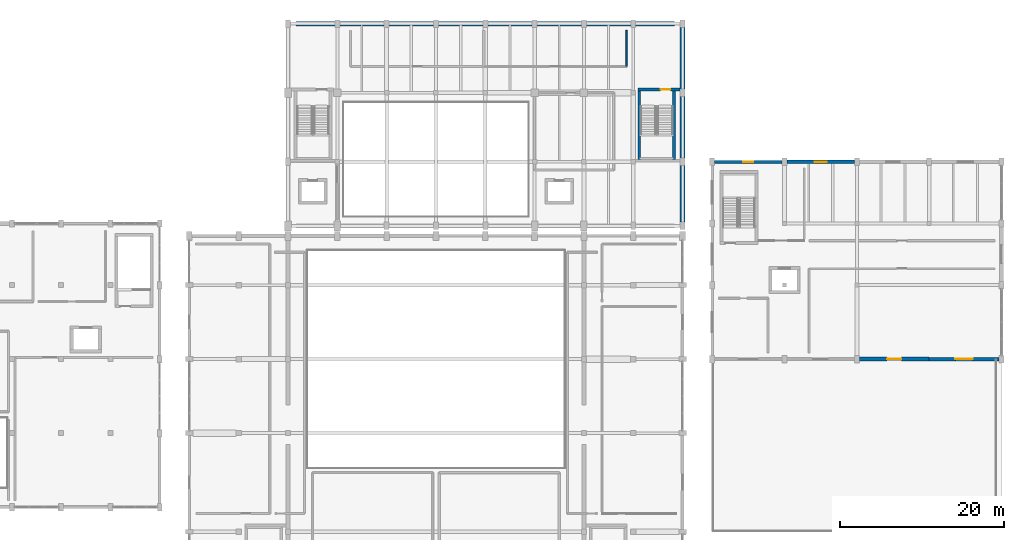
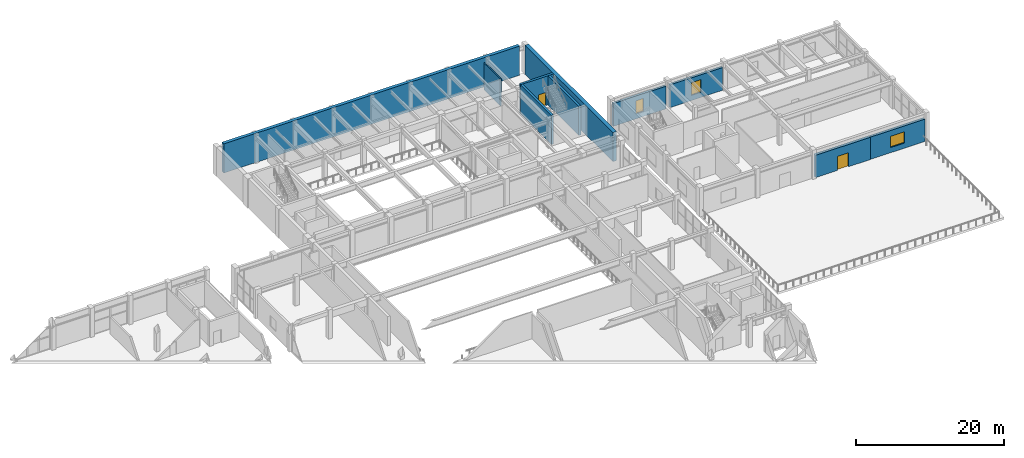
# One storey, part 45 of 62: 10 walls, 3 windows, 2 doors, 5 openings.
"""IFC4 building model written with IfcOpenShell, lengths in metres."""

from ifc_helpers import new_model, si_unit, direction, frame, frame_2d, origin, place, context, subcontext, project, spatial, rectangle, extrude, material, layer, layer_set, type_object, element, fill, save


model = new_model("IFC4")

# Units and contexts
model_context = context("Model", 3, precision=1e-05, world=origin(), true_north=direction((0.0, 1.0)))
body_context = subcontext(model_context, "Body", "Model", "MODEL_VIEW")
ifc_project = project(units=[si_unit("LENGTHUNIT", "METRE"), si_unit("AREAUNIT", "SQUARE_METRE"), si_unit("VOLUMEUNIT", "CUBIC_METRE"), si_unit("PLANEANGLEUNIT", "RADIAN"), si_unit("MASSUNIT", "GRAM", prefix="KILO")], contexts=[model_context])

# Site, building, storey
site_placement = place(None, origin())
site = spatial("IfcSite", under=ifc_project, at=site_placement, CompositionType="ELEMENT")
building_placement = place(site_placement, origin())
building = spatial("IfcBuilding", under=site, at=building_placement, Name="Vaelkrest Opera House", CompositionType="ELEMENT")
storey_placement = place(building_placement, frame((0.0, 0.0, 19.800048828125)))
storey = spatial("IfcBuildingStorey", under=building, at=storey_placement, Name="L04", CompositionType="ELEMENT", Elevation=19.800048828125)

# Wall, opening, window
ifc_material_1 = material(Name="American black walnut acoustic timber", Category="wood")
ifc_layer_1 = layer(ifc_material_1, 0.360107421875)
ifc_layer_set_1 = layer_set([ifc_layer_1], Name="American black walnut acoustic timber")
wall_type_1 = type_object("IfcWallType", Name="EW06", PredefinedType="STANDARD", material=ifc_layer_set_1)
wall_1_placement = place(storey_placement, frame((33.89794921875, 25.199951171875, 0.0), z_axis=(0.0, 0.0, 1.0), x_axis=(1.0, 0.0, 0.0)))
wall_1 = element("IfcWall", 1, at=wall_1_placement, inside=storey, type_object=wall_type_1, Name="Exterior facade wall EW-V4-L04-0286", PredefinedType="STANDARD", context=body_context, shape_type="SweptSolid", body=[
    extrude(rectangle(XDim=8.2041015625, YDim=0.360107421875, at=frame_2d((4.10205078125, 0.0))), origin(), (0.0, 0.0, 1.0), 3.744873046875),
])
opening_1_placement = place(wall_1_placement, frame((3.501953125, 0.0, 0.85009765625)))
opening_1 = element("IfcOpeningElement", 2, at=opening_1_placement, cuts=wall_1, Name="Opening WN169", PredefinedType="OPENING", context=body_context, shape_type="SweptSolid", body=[
    extrude(rectangle(XDim=1.199951171875, YDim=2.10009765625, at=frame_2d((0.60009765625, 1.050048828125))), frame((0.0, 0.18994140625, 0.0), z_axis=(0.0, -1.0, 0.0), x_axis=(1.0, 0.0, 0.0)), (0.0, 0.0, 1.0), 0.380126953125),
])
ifc_material_2 = material(Name="Double low-E insulated glazing", Category="glass")
window_type_1 = type_object("IfcWindowType", Name="WT13", PartitioningType="SINGLE_PANEL", PredefinedType="WINDOW", material=ifc_material_2)
window_1_placement = place(opening_1_placement, origin())
window_1 = element("IfcWindow", 3, at=window_1_placement, inside=storey, type_object=window_type_1, Name="Facade window WN169", OverallHeight=2.10009765625, OverallWidth=1.199951171875, PartitioningType="SINGLE_PANEL", PredefinedType="WINDOW", context=body_context, shape_type="SweptSolid", body=[
    extrude(rectangle(XDim=1.199951171875, YDim=2.10009765625, at=frame_2d((0.60009765625, 1.050048828125))), frame((0.0, 0.030029296875, 0.0), z_axis=(0.0, -1.0, 0.0), x_axis=(1.0, 0.0, 0.0)), (0.0, 0.0, 1.0), 0.06005859375),
])
fill(opening_1, window_1)

ifc_material_3 = material(Name="Concrete C40/50", Category="concrete")
ifc_layer_2 = layer(ifc_material_3, 0.385009765625)
ifc_layer_set_2 = layer_set([ifc_layer_2], Name="Concrete C40/50")
wall_type_2 = type_object("IfcWallType", Name="EW07", PredefinedType="STANDARD", material=ifc_layer_set_2)
wall_2_placement = place(storey_placement, frame((42.697998046875, 25.199951171875, 0.0), z_axis=(0.0, 0.0, 1.0), x_axis=(1.0, 0.0, 0.0)))
wall_2 = element("IfcWall", 4, at=wall_2_placement, inside=storey, type_object=wall_type_2, Name="Exterior facade wall EW-V4-L04-0287", PredefinedType="STANDARD", context=body_context, shape_type="SweptSolid", body=[
    extrude(rectangle(XDim=8.2041015625, YDim=0.385009765625, at=frame_2d((4.10205078125, 0.0))), origin(), (0.0, 0.0, 1.0), 3.744873046875),
])
opening_2_placement = place(wall_2_placement, frame((3.376953125, 0.0, 0.85009765625)))
opening_2 = element("IfcOpeningElement", 5, at=opening_2_placement, cuts=wall_2, Name="Opening WN170", PredefinedType="OPENING", context=body_context, shape_type="SweptSolid", body=[
    extrude(rectangle(XDim=1.449951171875, YDim=2.10009765625, at=frame_2d((0.72509765625, 1.050048828125))), frame((0.0, 0.202392578125, 0.0), z_axis=(0.0, -1.0, 0.0), x_axis=(1.0, 0.0, 0.0)), (0.0, 0.0, 1.0), 0.405029296875),
])
window_type_2 = type_object("IfcWindowType", Name="WT14", PartitioningType="SINGLE_PANEL", PredefinedType="WINDOW", material=ifc_material_2)
window_2_placement = place(opening_2_placement, origin())
window_2 = element("IfcWindow", 6, at=window_2_placement, inside=storey, type_object=window_type_2, Name="Facade window WN170", OverallHeight=2.10009765625, OverallWidth=1.449951171875, PartitioningType="SINGLE_PANEL", PredefinedType="WINDOW", context=body_context, shape_type="SweptSolid", body=[
    extrude(rectangle(XDim=1.449951171875, YDim=2.10009765625, at=frame_2d((0.72509765625, 1.050048828125))), frame((0.0, 0.030029296875, 0.0), z_axis=(0.0, -1.0, 0.0), x_axis=(1.0, 0.0, 0.0)), (0.0, 0.0, 1.0), 0.06005859375),
])
fill(opening_2, window_2)

ifc_layer_3 = layer(ifc_material_3, 0.43505859375)
ifc_layer_set_3 = layer_set([ifc_layer_3], Name="Concrete C40/50")
wall_type_3 = type_object("IfcWallType", Name="EW09", PredefinedType="STANDARD", material=ifc_layer_set_3)
wall_3_placement = place(storey_placement, frame((68.501953125, 1.199951171875, 0.0), z_axis=(0.0, 0.0, 1.0), x_axis=(-1.0, 0.0, 0.0)))
wall_3 = element("IfcWall", 7, at=wall_3_placement, inside=storey, type_object=wall_type_3, Name="Exterior facade wall EW-V4-L04-0279", PredefinedType="STANDARD", context=body_context, shape_type="SweptSolid", body=[
    extrude(rectangle(XDim=8.501953125, YDim=0.43505859375, at=frame_2d((4.2509765625, 0.0))), origin(), (0.0, 0.0, 1.0), 3.6669921875),
])
opening_3_placement = place(wall_3_placement, frame((3.176025390625, 0.0, 0.85009765625)))
opening_3 = element("IfcOpeningElement", 8, at=opening_3_placement, cuts=wall_3, Name="Opening WN164", PredefinedType="OPENING", context=body_context, shape_type="SweptSolid", body=[
    extrude(rectangle(XDim=2.14990234375, YDim=1.85009765625, at=frame_2d((1.074951171875, 0.925048828125))), frame((0.0, 0.2275390625, 0.0), z_axis=(0.0, -1.0, 0.0), x_axis=(1.0, 0.0, 0.0)), (0.0, 0.0, 1.0), 0.455078125),
])
window_type_3 = type_object("IfcWindowType", Name="WT08", PartitioningType="SINGLE_PANEL", PredefinedType="WINDOW", material=ifc_material_2)
window_3_placement = place(opening_3_placement, origin())
window_3 = element("IfcWindow", 9, at=window_3_placement, inside=storey, type_object=window_type_3, Name="Facade window WN164", OverallHeight=1.85009765625, OverallWidth=2.14990234375, PartitioningType="SINGLE_PANEL", PredefinedType="WINDOW", context=body_context, shape_type="SweptSolid", body=[
    extrude(rectangle(XDim=2.14990234375, YDim=1.85009765625, at=frame_2d((1.074951171875, 0.925048828125))), frame((0.0, 0.030029296875, 0.0), z_axis=(0.0, -1.0, 0.0), x_axis=(1.0, 0.0, 0.0)), (0.0, 0.0, 1.0), 0.06005859375),
])
fill(opening_3, window_3)

# Wall, opening, door
ifc_layer_4 = layer(ifc_material_3, 0.465087890625)
ifc_layer_set_4 = layer_set([ifc_layer_4], Name="Concrete C40/50")
wall_type_4 = type_object("IfcWallType", Name="EW10", PredefinedType="STANDARD", material=ifc_layer_set_4)
wall_4_placement = place(storey_placement, frame((60.0, 1.199951171875, 0.0), z_axis=(0.0, 0.0, 1.0), x_axis=(-1.0, 0.0, 0.0)))
wall_4 = element("IfcWall", 10, at=wall_4_placement, inside=storey, type_object=wall_type_4, Name="Exterior facade wall EW-V4-L04-0280", PredefinedType="STANDARD", context=body_context, shape_type="SweptSolid", body=[
    extrude(rectangle(XDim=8.501953125, YDim=0.465087890625, at=frame_2d((4.2509765625, 0.0))), origin(), (0.0, 0.0, 1.0), 3.6669921875),
])
opening_4_placement = place(wall_4_placement, frame((3.3759765625, 0.0, 0.0)))
opening_4 = element("IfcOpeningElement", 11, at=opening_4_placement, cuts=wall_4, Name="Opening TD-V4-L04-1", PredefinedType="OPENING", context=body_context, shape_type="SweptSolid", body=[
    extrude(rectangle(XDim=1.75, YDim=2.300048828125, at=frame_2d((0.875, 1.14990234375))), frame((0.0, 0.242431640625, 0.0), z_axis=(0.0, -1.0, 0.0), x_axis=(1.0, 0.0, 0.0)), (0.0, 0.0, 1.0), 0.485107421875),
])
ifc_material_4 = material(Name="Dark bronze anodized aluminium", Category="aluminium")
door_type_1 = type_object("IfcDoorType", Name="EDT04", OperationType="DOUBLE_DOOR_SINGLE_SWING", PredefinedType="DOOR", material=ifc_material_4)
door_1_placement = place(opening_4_placement, origin())
door_1 = element("IfcDoor", 12, at=door_1_placement, inside=storey, type_object=door_type_1, Name="Exterior exit door TD-V4-L04-1", OperationType="DOUBLE_DOOR_SINGLE_SWING", OverallHeight=2.300048828125, OverallWidth=1.75, PredefinedType="DOOR", context=body_context, shape_type="SweptSolid", body=[
    extrude(rectangle(XDim=1.75, YDim=2.300048828125, at=frame_2d((0.875, 1.14990234375))), frame((0.0, 0.02490234375, 0.0), z_axis=(0.0, -1.0, 0.0), x_axis=(1.0, 0.0, 0.0)), (0.0, 0.0, 1.0), 0.050048828125),
])
fill(opening_4, door_1)

# Walls
ifc_layer_5 = layer(ifc_material_1, 0.175048828125)
ifc_layer_set_5 = layer_set([ifc_layer_5], Name="American black walnut acoustic timber")
wall_type_5 = type_object("IfcWallType", Name="PT14", PredefinedType="PARTITIONING", material=ifc_layer_set_5)
wall_5_placement = place(storey_placement, frame((23.199951171875, 36.800048828125, 0.0), z_axis=(0.0, 0.0, 1.0), x_axis=(0.0, 1.0, 0.0)))
element("IfcWall", 13, at=wall_5_placement, inside=storey, type_object=wall_type_5, Name="Interior partition PT-V2-L04-0224", PredefinedType="PARTITIONING", context=body_context, shape_type="SweptSolid", body=[
    extrude(rectangle(XDim=4.39990234375, YDim=0.175048828125, at=frame_2d((2.199951171875, 0.0))), origin(), (0.0, 0.0, 1.0), 4.419921875),
])
ifc_material_5 = material(Name="Concrete C50/60", Category="concrete")
ifc_layer_6 = layer(ifc_material_5, 0.35009765625)
ifc_layer_set_6 = layer_set([ifc_layer_6], Name="Concrete C50/60")
wall_type_6 = type_object("IfcWallType", Name="SW01", PredefinedType="SHEAR", material=ifc_layer_set_6)
wall_6_placement = place(storey_placement, frame((24.72509765625, 25.5, 0.0), z_axis=(0.0, 0.0, 1.0), x_axis=(0.0, 1.0, 0.0)))
element("IfcWall", 14, at=wall_6_placement, inside=storey, type_object=wall_type_6, Name="Stair core ST06 wall L04 W", PredefinedType="SHEAR", context=body_context, shape_type="SweptSolid", body=[
    extrude(rectangle(XDim=8.300048828125, YDim=0.35009765625, at=frame_2d((4.14990234375, 0.0))), origin(), (0.0, 0.0, 1.0), 4.800048828125),
])

# Wall, opening, door
wall_7_placement = place(storey_placement, frame((24.550048828125, 33.97509765625, 0.0), z_axis=(0.0, 0.0, 1.0), x_axis=(1.0, 0.0, 0.0)))
wall_7 = element("IfcWall", 15, at=wall_7_placement, inside=storey, type_object=wall_type_6, Name="Stair core ST06 wall L04 N", PredefinedType="SHEAR", context=body_context, shape_type="SweptSolid", body=[
    extrude(rectangle(XDim=5.14990234375, YDim=0.35009765625, at=frame_2d((2.574951171875, 0.0))), origin(), (0.0, 0.0, 1.0), 4.800048828125),
])
opening_5_placement = place(wall_7_placement, frame((2.77001953125, 0.0, 0.0)))
opening_5 = element("IfcOpeningElement", 16, at=opening_5_placement, cuts=wall_7, Name="Opening SD-ST06-L04", PredefinedType="OPENING", context=body_context, shape_type="SweptSolid", body=[
    extrude(rectangle(XDim=1.179931640625, YDim=2.14990234375, at=frame_2d((0.58984375, 1.074951171875))), frame((0.0, 0.18505859375, 0.0), z_axis=(0.0, -1.0, 0.0), x_axis=(1.0, 0.0, 0.0)), (0.0, 0.0, 1.0), 0.3701171875),
])
door_type_2 = type_object("IfcDoorType", Name="DT07", OperationType="NOTDEFINED", PredefinedType="DOOR", material=ifc_material_1)
door_2_placement = place(opening_5_placement, origin())
door_2 = element("IfcDoor", 17, at=door_2_placement, inside=storey, type_object=door_type_2, Name="Protected stair door SD-ST06-L04", OperationType="SINGLE_SWING_RIGHT", OverallHeight=2.14990234375, OverallWidth=1.179931640625, PredefinedType="DOOR", context=body_context, shape_type="SweptSolid", body=[
    extrude(rectangle(XDim=1.179931640625, YDim=2.14990234375, at=frame_2d((0.58984375, 1.074951171875))), frame((0.0, 0.02490234375, 0.0), z_axis=(0.0, -1.0, 0.0), x_axis=(1.0, 0.0, 0.0)), (0.0, 0.0, 1.0), 0.050048828125),
])
fill(opening_5, door_2)

# Walls
wall_8_placement = place(storey_placement, frame((28.97509765625, 33.800048828125, 0.0), z_axis=(0.0, 0.0, 1.0), x_axis=(0.0, -1.0, 0.0)))
element("IfcWall", 18, at=wall_8_placement, inside=storey, type_object=wall_type_6, Name="Stair core ST06 wall L04 E", PredefinedType="SHEAR", context=body_context, shape_type="SweptSolid", body=[
    extrude(rectangle(XDim=8.300048828125, YDim=0.35009765625, at=frame_2d((4.14990234375, 0.0))), origin(), (0.0, 0.0, 1.0), 4.800048828125),
])
ifc_layer_7 = layer(ifc_material_5, 0.5)
ifc_layer_set_7 = layer_set([ifc_layer_7], Name="Concrete C50/60")
wall_type_7 = type_object("IfcWallType", Name="SW05", PredefinedType="SHEAR", material=ifc_layer_set_7)
wall_9_placement = place(storey_placement, frame((-17.0, 42.0, 0.0), z_axis=(0.0, 0.0, 1.0), x_axis=(1.0, 0.0, 0.0)))
element("IfcWall", 19, at=wall_9_placement, inside=storey, type_object=wall_type_7, Name="Fly tower north shear wall L04", PredefinedType="SHEAR", context=body_context, shape_type="SweptSolid", body=[
    extrude(rectangle(XDim=46.0, YDim=0.5, at=frame_2d((23.0, 0.0))), origin(), (0.0, 0.0, 1.0), 4.800048828125),
])
ifc_layer_8 = layer(ifc_material_5, 0.580078125)
ifc_layer_set_8 = layer_set([ifc_layer_8], Name="Concrete C50/60")
wall_type_8 = type_object("IfcWallType", Name="SW06", PredefinedType="SHEAR", material=ifc_layer_set_8)
wall_10_placement = place(storey_placement, frame((30.0, 17.85009765625, 0.0), z_axis=(0.0, 0.0, 1.0), x_axis=(0.0, 1.0, 0.0)))
element("IfcWall", 20, at=wall_10_placement, inside=storey, type_object=wall_type_8, Name="Fly tower east exterior shear wall L04", PredefinedType="SHEAR", context=body_context, shape_type="SweptSolid", body=[
    extrude(rectangle(XDim=23.699951171875, YDim=0.580078125, at=frame_2d((11.85009765625, 0.0))), origin(), (0.0, 0.0, 1.0), 4.800048828125),
])

save(model, "model.ifc")
